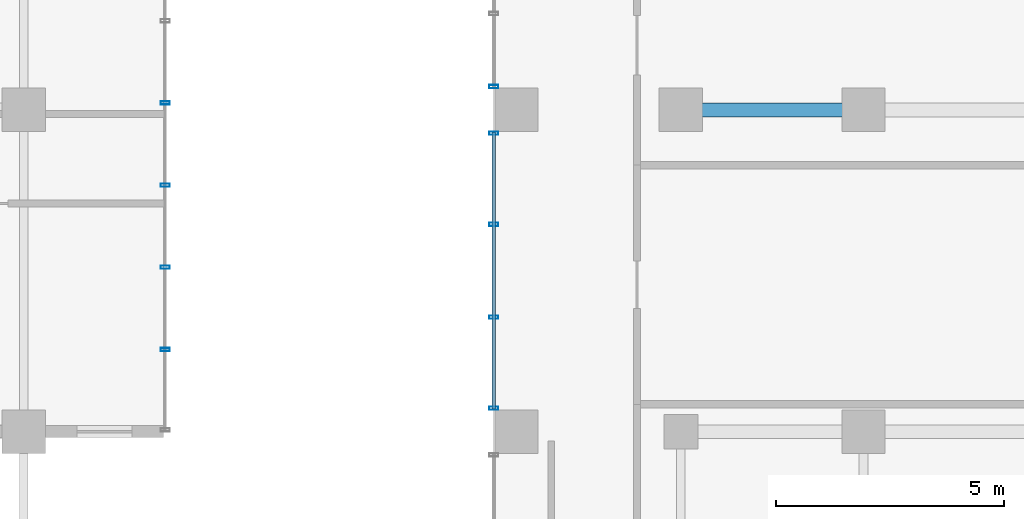
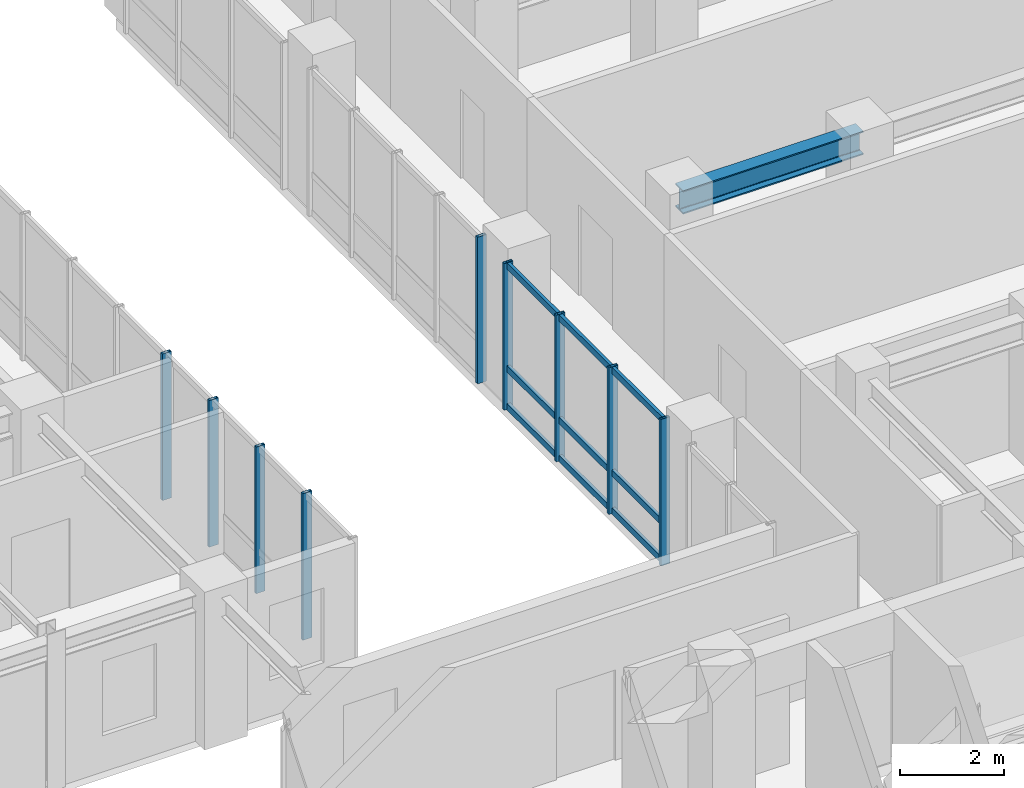
# One storey, part 9 of 24: 12 members, 1 beam, 3 elements without a shape of their own.
"""IFC4 building model written with IfcOpenShell, lengths in metres."""

import ifcopenshell
import ifcopenshell.guid

model = None  # the IFC model being written
_history = None  # IfcOwnerHistory: only IFC2X3 demands one
_inside = {}  # id of a spatial element -> (the spatial element, [elements in it])
_under = {}  # id of a project, library or spatial element -> (it, [spatial elements below it])
_declared = {}  # id of a project -> (the project, [libraries it declares])
_typed = {}  # id of a type object -> (the type object, [elements of that type])
_made_of = {}  # id of a material, layer set ... -> (it, [elements and type objects made of it])


def new_model(schema):
    """Start an empty IFC model of exactly this schema.

    Asked for "IFC4X3", IfcOpenShell would pick the latest addendum, in which some entities
    have other attributes; the version numbers below select the first issue.
    IFC2X3 requires an IfcOwnerHistory on every rooted entity: one is made here for all.
    """
    global model, _history
    if schema == "IFC4X3":
        model = ifcopenshell.file(schema_version=(4, 3, 0, 0))
    else:
        model = ifcopenshell.file(schema=schema)
    _inside.clear()
    _under.clear()
    _declared.clear()
    _typed.clear()
    _made_of.clear()
    _history = None
    if model.schema == "IFC2X3":
        org = make("IfcOrganization", Name="unknown")
        user = make(
            "IfcPersonAndOrganization",
            ThePerson=make("IfcPerson", FamilyName="unknown"),
            TheOrganization=org,
        )
        app = make(
            "IfcApplication",
            ApplicationDeveloper=org,
            Version="unknown",
            ApplicationFullName="unknown",
            ApplicationIdentifier="unknown",
        )
        _history = make(
            "IfcOwnerHistory",
            OwningUser=user,
            OwningApplication=app,
            ChangeAction="ADDED",
            CreationDate=0,
        )
    return model


def make(cls, **values):
    """One entity of the class cls with the attributes given. An attribute that is None is left unset."""
    return model.create_entity(
        cls, **{name: value for name, value in values.items() if value is not None}
    )


def rooted(cls, **values):
    """An entity with a GlobalId (a new one), such as an element, a storey or a relation."""
    return make(cls, GlobalId=ifcopenshell.guid.new(), OwnerHistory=_history, **values)


def si_unit(unit_type, name, prefix=None):
    """IfcSIUnit, for example si_unit("LENGTHUNIT", "METRE", prefix="MILLI")."""
    return make("IfcSIUnit", UnitType=unit_type, Prefix=prefix, Name=name)


def assignment(units):
    """IfcUnitAssignment: the units of a project."""
    return None if units is None else make("IfcUnitAssignment", Units=units)


def point(xyz):
    """IfcCartesianPoint."""
    return None if xyz is None else make("IfcCartesianPoint", Coordinates=xyz)


def direction(xyz):
    """IfcDirection."""
    return None if xyz is None else make("IfcDirection", DirectionRatios=xyz)


def frame(location, z_axis=None, x_axis=None):
    """IfcAxis2Placement3D, a coordinate frame: its origin and axes. An axis left out is left unset."""
    return make(
        "IfcAxis2Placement3D",
        Location=point(location),
        Axis=direction(z_axis),
        RefDirection=direction(x_axis),
    )


def frame_2d(location, x_axis=None):
    """IfcAxis2Placement2D, a coordinate frame in the plane: its origin and x axis."""
    return make(
        "IfcAxis2Placement2D", Location=point(location), RefDirection=direction(x_axis)
    )


def origin():
    """The frame at (0, 0, 0) with its axes left unset."""
    return frame((0.0, 0.0, 0.0))


def origin_2d():
    """The frame at (0, 0) in the plane with its x axis left unset."""
    return frame_2d((0.0, 0.0))


def place(relative_to, where):
    """IfcLocalPlacement: puts the frame where relative to a parent placement (None: the world)."""
    return make(
        "IfcLocalPlacement", PlacementRelTo=relative_to, RelativePlacement=where
    )


def context(
    kind, dimensions, precision=None, world=None, true_north=None, identifier=None
):
    """IfcGeometricRepresentationContext, for example the 3D "Model" context."""
    return make(
        "IfcGeometricRepresentationContext",
        ContextIdentifier=identifier,
        ContextType=kind,
        CoordinateSpaceDimension=dimensions,
        Precision=precision,
        WorldCoordinateSystem=world,
        TrueNorth=true_north,
    )


def subcontext(parent, identifier, kind, view, scale=None):
    """IfcGeometricRepresentationSubContext, for example "Body" below "Model"."""
    return make(
        "IfcGeometricRepresentationSubContext",
        ContextIdentifier=identifier,
        ContextType=kind,
        ParentContext=parent,
        TargetScale=scale,
        TargetView=view,
    )


def project(units=None, contexts=None):
    """IfcProject with its units and contexts."""
    return rooted(
        "IfcProject",
        Name="project",
        RepresentationContexts=contexts,
        UnitsInContext=assignment(units),
    )


def spatial(cls, under=None, at=None, **own):
    """A site, building, storey or space (cls), placed at a placement, below another one or the project."""
    s = rooted(cls, ObjectPlacement=at, **own)
    if under is not None:
        _under.setdefault(under.id(), (under, []))[1].append(s)
    return s


def profile(cls, at=None, kind="AREA", **sizes):
    """A parametric profile (cls). Its sizes go by their IFC names, for example OverallWidth=200.0."""
    return make(cls, ProfileType=kind, Position=at, **sizes)


def hollow_rectangle(**sizes):
    """IfcRectangleHollowProfileDef."""
    return profile("IfcRectangleHollowProfileDef", **sizes)


def i_section(**sizes):
    """IfcIShapeProfileDef."""
    return profile("IfcIShapeProfileDef", **sizes)


def extrude(swept, where, along, depth):
    """IfcExtrudedAreaSolid: the profile swept, set in the frame where, extruded along a direction by depth."""
    return make(
        "IfcExtrudedAreaSolid",
        SweptArea=swept,
        Position=where,
        ExtrudedDirection=direction(along),
        Depth=depth,
    )


def shape(context_of_items, identifier, shape_type, items):
    """IfcShapeRepresentation: the items that make up one representation, for example the "Body"."""
    return make(
        "IfcShapeRepresentation",
        ContextOfItems=context_of_items,
        RepresentationIdentifier=identifier,
        RepresentationType=shape_type,
        Items=items,
    )


def source(mapping_origin, context_of_items, identifier, shape_type, items):
    """IfcRepresentationMap: a shape defined once, which mapped items show again and again."""
    return make(
        "IfcRepresentationMap",
        MappingOrigin=mapping_origin,
        MappedRepresentation=shape(context_of_items, identifier, shape_type, items),
    )


def transform(
    local_origin,
    x_axis=None,
    y_axis=None,
    z_axis=None,
    scale=None,
    scale2=None,
    scale3=None,
    uniform=True,
):
    """IfcCartesianTransformationOperator3D, or its non-uniform kind. x_axis, y_axis, z_axis: its Axis1, 2, 3."""
    if uniform:
        return make(
            "IfcCartesianTransformationOperator3D",
            Axis1=direction(x_axis),
            Axis2=direction(y_axis),
            LocalOrigin=point(local_origin),
            Scale=scale,
            Axis3=direction(z_axis),
        )
    return make(
        "IfcCartesianTransformationOperator3DnonUniform",
        Axis1=direction(x_axis),
        Axis2=direction(y_axis),
        LocalOrigin=point(local_origin),
        Scale=scale,
        Axis3=direction(z_axis),
        Scale2=scale2,
        Scale3=scale3,
    )


def mapped(mapping_source, mapping_target):
    """IfcMappedItem: shows the shape of a source again, moved by a transform."""
    return make(
        "IfcMappedItem", MappingSource=mapping_source, MappingTarget=mapping_target
    )


def material(Name=None, Category=None):
    """IfcMaterial."""
    return make("IfcMaterial", Name=Name, Category=Category)


def layer(
    of_material, thickness, ventilated=None, Name=None, Category=None, Priority=None
):
    """IfcMaterialLayer: one layer of a wall or slab, of a material (None: an air gap)."""
    return make(
        "IfcMaterialLayer",
        Material=of_material,
        LayerThickness=thickness,
        IsVentilated=ventilated,
        Name=Name,
        Category=Category,
        Priority=Priority,
    )


def layer_set(layers, Name=None):
    """IfcMaterialLayerSet."""
    return make("IfcMaterialLayerSet", MaterialLayers=layers, LayerSetName=Name)


def material_profile(
    of_material, cross_section, Name=None, Category=None, Priority=None
):
    """IfcMaterialProfile: a cross section and its material."""
    return make(
        "IfcMaterialProfile",
        Name=Name,
        Material=of_material,
        Profile=cross_section,
        Priority=Priority,
        Category=Category,
    )


def profile_set(profiles, Name=None, composite=None):
    """IfcMaterialProfileSet."""
    return make(
        "IfcMaterialProfileSet",
        Name=Name,
        MaterialProfiles=profiles,
        CompositeProfile=composite,
    )


def made_of(thing, what):
    """Note that an element or type object is made of a material, layer set ...; save() writes the relation."""
    if what is not None:
        _made_of.setdefault(what.id(), (what, []))[1].append(thing)
    return thing


def type_object(cls, material=None, **own):
    """A type object (cls), such as IfcWallType, which elements share."""
    return made_of(rooted(cls, **own), material)


def element(
    cls,
    number,
    at=None,
    inside=None,
    cuts=None,
    type_object=None,
    material=None,
    context=None,
    identifier="Body",
    shape_type=None,
    held_by="IfcProductDefinitionShape",
    body=None,
    shapes=None,
    **own,
):
    """One element of the class cls, such as IfcWall. Its Tag is "e" and its number.

    at: its placement. inside: the storey or other place that contains it. cuts: it is an
    opening in that element (IfcRelVoidsElement). A single representation is given by context,
    identifier, shape_type and body (its items); several are given by shapes. held_by: the class
    of the entity that holds the representations. save() writes the other relations.
    """
    e = rooted(cls, Tag="e%d" % number, ObjectPlacement=at, **own)
    if body is not None:
        shapes = [shape(context, identifier, shape_type, body)]
    if shapes is not None:
        e.Representation = make(held_by, Representations=shapes)
    if inside is not None:
        _inside.setdefault(inside.id(), (inside, []))[1].append(e)
    if cuts is not None:
        rooted(
            "IfcRelVoidsElement", RelatingBuildingElement=cuts, RelatedOpeningElement=e
        )
    if type_object is not None:
        _typed.setdefault(type_object.id(), (type_object, []))[1].append(e)
    return made_of(e, material)


def aggregate(whole, parts):
    """IfcRelAggregates: a whole, such as a stair, and the parts it consists of."""
    return rooted("IfcRelAggregates", RelatingObject=whole, RelatedObjects=parts)


def save(model, path):
    """Write the relations noted so far, then the file.

    IfcRelAggregates (storeys below a building ...), IfcRelContainedInSpatialStructure (elements
    in a storey), IfcRelDefinesByType, IfcRelAssociatesMaterial and IfcRelDeclares: one each for
    every whole, place, type object, material and project.
    """
    for whole, parts in _under.values():
        aggregate(whole, parts)
    for where, things in _inside.values():
        rooted(
            "IfcRelContainedInSpatialStructure",
            RelatedElements=things,
            RelatingStructure=where,
        )
    for kind, things in _typed.values():
        rooted("IfcRelDefinesByType", RelatedObjects=things, RelatingType=kind)
    for what, things in _made_of.values():
        rooted("IfcRelAssociatesMaterial", RelatedObjects=things, RelatingMaterial=what)
    for by, libraries in _declared.values():
        rooted("IfcRelDeclares", RelatingContext=by, RelatedDefinitions=libraries)
    model.write(path)


model = new_model("IFC4")

# Units and contexts
model_context = context("Model", 3, precision=1e-05, world=origin(), true_north=direction((0.0, 1.0)))
body_context = subcontext(model_context, "Body", "Model", "MODEL_VIEW")
ifc_project = project(units=[si_unit("LENGTHUNIT", "METRE"), si_unit("AREAUNIT", "SQUARE_METRE"), si_unit("VOLUMEUNIT", "CUBIC_METRE"), si_unit("PLANEANGLEUNIT", "RADIAN"), si_unit("MASSUNIT", "GRAM", prefix="KILO")], contexts=[model_context])

# Site, building, storey
site_placement = place(None, origin())
site = spatial("IfcSite", under=ifc_project, at=site_placement, CompositionType="ELEMENT")
building_placement = place(site_placement, origin())
building = spatial("IfcBuilding", under=site, at=building_placement, Name="Kaliganga Portal Commons", CompositionType="ELEMENT")
storey_placement = place(building_placement, frame((0.0, 0.0, 235.10009765625)))
storey = spatial("IfcBuildingStorey", under=building, at=storey_placement, Name="L60", CompositionType="ELEMENT", Elevation=235.10009765625)

# Beam
ifc_material_1 = material(Name="Structural steel S355J2", Category="steel")
ifc_material_profile_1 = material_profile(ifc_material_1, i_section(OverallWidth=0.300048828125, OverallDepth=0.550048828125, WebThickness=0.014892578125, FlangeThickness=0.029052734375, FilletRadius=0.027099609375, at=origin_2d()), Name="HE 550 B")
ifc_profile_set_1 = profile_set([ifc_material_profile_1], Name="Structural steel S355J2 wide-flange")
beam_type = type_object("IfcBeamType", Name="BM-GIRD-550", PredefinedType="USERDEFINED", material=ifc_profile_set_1)
shared_shape_1 = source(origin(), body_context, "Body", "SweptSolid", [
    extrude(i_section(OverallWidth=0.300048828125, OverallDepth=0.550048828125, WebThickness=0.014892578125, FlangeThickness=0.029052734375, FilletRadius=0.027099609375, at=origin_2d()), origin(), (0.0, 0.0, 1.0), 4.0),
])
beam_placement = place(storey_placement, frame((50.39990234375, 28.64990234375, 3.164794921875), z_axis=(1.0, 0.0, 0.0), x_axis=(0.0, 1.0, 0.0)))
element("IfcBeam", 1, at=beam_placement, inside=storey, type_object=beam_type, Name="BM G L60 BKE286 1", ObjectType="GIRDER", PredefinedType="USERDEFINED", context=body_context, shape_type="MappedRepresentation", body=[
    mapped(shared_shape_1, transform((0.0, 0.0, 0.0), x_axis=(1.0, 0.0, 0.0), y_axis=(0.0, 1.0, 0.0), z_axis=(0.0, 0.0, 1.0), scale=1.0)),
])

# Curtain wall, members
ifc_material_2 = material(Name="Anodized Aluminium and Laminated Low-E Glass", Category="aluminium")
ifc_layer = layer(ifc_material_2, 0.239990234375)
ifc_layer_set = layer_set([ifc_layer], Name="Anodized Aluminium and Laminated Low-E Glass")
curtain_wall_type = type_object("IfcCurtainWallType", Name="CW-SYS-04", PredefinedType="NOTDEFINED", material=ifc_layer_set)
curtain_wall_1_placement = place(storey_placement, origin())
curtain_wall_1 = element("IfcCurtainWall", 2, at=curtain_wall_1_placement, inside=storey, type_object=curtain_wall_type, Name="CW 04 L60 P1E01S1", PredefinedType="NOTDEFINED")
ifc_material_3 = material(Name="Dark Bronze Anodized Aluminium", Category="aluminium")
ifc_material_profile_2 = material_profile(ifc_material_3, hollow_rectangle(XDim=0.070068359375, YDim=0.199951171875, WallThickness=0.00390625, at=origin_2d()), Name="ALU MULL 70x200x4")
ifc_profile_set_2 = profile_set([ifc_material_profile_2], Name="Dark Bronze Anodized Aluminium")
member_type_1 = type_object("IfcMemberType", Name="CW-MUL-220", PredefinedType="MULLION", material=ifc_profile_set_2)
shared_shape_2 = source(origin(), body_context, "Body", "SweptSolid", [
    extrude(hollow_rectangle(XDim=0.070068359375, YDim=0.199951171875, WallThickness=0.00390625, at=origin_2d()), origin(), (0.0, 0.0, 1.0), 3.43994140625),
])
member_1_placement = place(storey_placement, frame((39.10009765625, 23.39990234375, 0.0), z_axis=(0.0, 0.0, 1.0), x_axis=(0.0, 1.0, 0.0)))
member_1 = element("IfcMember", 3, at=member_1_placement, type_object=member_type_1, Name="CW:04:L60:P1E01S1 Mullion 01", PredefinedType="MULLION", context=body_context, shape_type="MappedRepresentation", body=[
    mapped(shared_shape_2, transform((0.0, 0.0, 0.0), x_axis=(1.0, 0.0, 0.0), y_axis=(0.0, 1.0, 0.0), z_axis=(0.0, 0.0, 1.0), scale=1.0)),
])
member_2_placement = place(storey_placement, frame((39.10009765625, 25.199951171875, 0.0), z_axis=(0.0, 0.0, 1.0), x_axis=(0.0, 1.0, 0.0)))
member_2 = element("IfcMember", 4, at=member_2_placement, type_object=member_type_1, Name="CW:04:L60:P1E01S1 Mullion 02", PredefinedType="MULLION", context=body_context, shape_type="MappedRepresentation", body=[
    mapped(shared_shape_2, transform((0.0, 0.0, 0.0), x_axis=(1.0, 0.0, 0.0), y_axis=(0.0, 1.0, 0.0), z_axis=(0.0, 0.0, 1.0), scale=1.0)),
])
member_3_placement = place(storey_placement, frame((39.10009765625, 27.0, 0.0), z_axis=(0.0, 0.0, 1.0), x_axis=(0.0, 1.0, 0.0)))
member_3 = element("IfcMember", 5, at=member_3_placement, type_object=member_type_1, Name="CW:04:L60:P1E01S1 Mullion 03", PredefinedType="MULLION", context=body_context, shape_type="MappedRepresentation", body=[
    mapped(shared_shape_2, transform((0.0, 0.0, 0.0), x_axis=(1.0, 0.0, 0.0), y_axis=(0.0, 1.0, 0.0), z_axis=(0.0, 0.0, 1.0), scale=1.0)),
])
member_4_placement = place(storey_placement, frame((39.10009765625, 28.800048828125, 0.0), z_axis=(0.0, 0.0, 1.0), x_axis=(0.0, 1.0, 0.0)))
member_4 = element("IfcMember", 6, at=member_4_placement, type_object=member_type_1, Name="CW:04:L60:P1E01S1 Mullion 04", PredefinedType="MULLION", context=body_context, shape_type="MappedRepresentation", body=[
    mapped(shared_shape_2, transform((0.0, 0.0, 0.0), x_axis=(1.0, 0.0, 0.0), y_axis=(0.0, 1.0, 0.0), z_axis=(0.0, 0.0, 1.0), scale=1.0)),
])
aggregate(curtain_wall_1, [member_1, member_2, member_3, member_4])

# Curtain wall, member
curtain_wall_2_placement = place(storey_placement, origin())
curtain_wall_2 = element("IfcCurtainWall", 7, at=curtain_wall_2_placement, inside=storey, type_object=curtain_wall_type, Name="CW 04 L60 P2E03S2", PredefinedType="NOTDEFINED")
member_5_placement = place(storey_placement, frame((46.300048828125, 29.160888671875, 0.0), z_axis=(0.0, 0.0, 1.0), x_axis=(0.0, -1.0, 0.0)))
member_5 = element("IfcMember", 8, at=member_5_placement, type_object=member_type_1, Name="CW:04:L60:P2E03S2 Mullion 04", PredefinedType="MULLION", context=body_context, shape_type="MappedRepresentation", body=[
    mapped(shared_shape_2, transform((0.0, 0.0, 0.0), x_axis=(1.0, 0.0, 0.0), y_axis=(0.0, 1.0, 0.0), z_axis=(0.0, 0.0, 1.0), scale=1.0)),
])
aggregate(curtain_wall_2, [member_5])

# Curtain wall, members
curtain_wall_3_placement = place(storey_placement, origin())
curtain_wall_3 = element("IfcCurtainWall", 9, at=curtain_wall_3_placement, inside=storey, type_object=curtain_wall_type, Name="CW 04 L60 P2E03S3", PredefinedType="NOTDEFINED")
member_6_placement = place(storey_placement, frame((46.300048828125, 28.138916015625, 0.0), z_axis=(0.0, 0.0, 1.0), x_axis=(0.0, -1.0, 0.0)))
member_6 = element("IfcMember", 10, at=member_6_placement, type_object=member_type_1, Name="CW:04:L60:P2E03S3 Mullion 00", PredefinedType="MULLION", context=body_context, shape_type="MappedRepresentation", body=[
    mapped(shared_shape_2, transform((0.0, 0.0, 0.0), x_axis=(1.0, 0.0, 0.0), y_axis=(0.0, 1.0, 0.0), z_axis=(0.0, 0.0, 1.0), scale=1.0)),
])
member_7_placement = place(storey_placement, frame((46.300048828125, 26.141357421875, 0.0), z_axis=(0.0, 0.0, 1.0), x_axis=(0.0, -1.0, 0.0)))
member_7 = element("IfcMember", 11, at=member_7_placement, type_object=member_type_1, Name="CW:04:L60:P2E03S3 Mullion 01", PredefinedType="MULLION", context=body_context, shape_type="MappedRepresentation", body=[
    mapped(shared_shape_2, transform((0.0, 0.0, 0.0), x_axis=(1.0, 0.0, 0.0), y_axis=(0.0, 1.0, 0.0), z_axis=(0.0, 0.0, 1.0), scale=1.0)),
])
member_8_placement = place(storey_placement, frame((46.300048828125, 24.108642578125, 0.0), z_axis=(0.0, 0.0, 1.0), x_axis=(0.0, -1.0, 0.0)))
member_8 = element("IfcMember", 12, at=member_8_placement, type_object=member_type_1, Name="CW:04:L60:P2E03S3 Mullion 02", PredefinedType="MULLION", context=body_context, shape_type="MappedRepresentation", body=[
    mapped(shared_shape_2, transform((0.0, 0.0, 0.0), x_axis=(1.0, 0.0, 0.0), y_axis=(0.0, 1.0, 0.0), z_axis=(0.0, 0.0, 1.0), scale=1.0)),
])
member_9_placement = place(storey_placement, frame((46.300048828125, 22.111083984375, 0.0), z_axis=(0.0, 0.0, 1.0), x_axis=(0.0, -1.0, 0.0)))
member_9 = element("IfcMember", 13, at=member_9_placement, type_object=member_type_1, Name="CW:04:L60:P2E03S3 Mullion 03", PredefinedType="MULLION", context=body_context, shape_type="MappedRepresentation", body=[
    mapped(shared_shape_2, transform((0.0, 0.0, 0.0), x_axis=(1.0, 0.0, 0.0), y_axis=(0.0, 1.0, 0.0), z_axis=(0.0, 0.0, 1.0), scale=1.0)),
])
ifc_material_profile_3 = material_profile(ifc_material_3, hollow_rectangle(XDim=0.070068359375, YDim=0.14990234375, WallThickness=0.00341796875, at=origin_2d()), Name="ALU TRAN 70x150x3.5")
ifc_profile_set_3 = profile_set([ifc_material_profile_3], Name="Dark Bronze Anodized Aluminium")
member_type_2 = type_object("IfcMemberType", Name="CW-TRN-150", PredefinedType="USERDEFINED", material=ifc_profile_set_3)
shared_shape_3 = source(origin(), body_context, "Body", "SweptSolid", [
    extrude(hollow_rectangle(XDim=0.070068359375, YDim=0.14990234375, WallThickness=0.00341796875, at=origin_2d()), origin(), (0.0, 0.0, 1.0), 6.05810546875),
])
member_10_placement = place(storey_placement, frame((46.300048828125, 28.154052734375, 0.059814453125), z_axis=(0.0, -1.0, 0.0), x_axis=(1.0, 0.0, 0.0)))
member_10 = element("IfcMember", 14, at=member_10_placement, type_object=member_type_2, Name="CW:04:L60:P2E03S3 Transom 1", ObjectType="TRANSOM", PredefinedType="USERDEFINED", context=body_context, shape_type="MappedRepresentation", body=[
    mapped(shared_shape_3, transform((0.0, 0.0, 0.0), x_axis=(1.0, 0.0, 0.0), y_axis=(0.0, 1.0, 0.0), z_axis=(0.0, 0.0, 1.0), scale=1.0)),
])
member_11_placement = place(storey_placement, frame((46.300048828125, 28.154052734375, 0.949951171875), z_axis=(0.0, -1.0, 0.0), x_axis=(1.0, 0.0, 0.0)))
member_11 = element("IfcMember", 15, at=member_11_placement, type_object=member_type_2, Name="CW:04:L60:P2E03S3 Transom 2", ObjectType="TRANSOM", PredefinedType="USERDEFINED", context=body_context, shape_type="MappedRepresentation", body=[
    mapped(shared_shape_3, transform((0.0, 0.0, 0.0), x_axis=(1.0, 0.0, 0.0), y_axis=(0.0, 1.0, 0.0), z_axis=(0.0, 0.0, 1.0), scale=1.0)),
])
member_12_placement = place(storey_placement, frame((46.300048828125, 28.154052734375, 3.35986328125), z_axis=(0.0, -1.0, 0.0), x_axis=(1.0, 0.0, 0.0)))
member_12 = element("IfcMember", 16, at=member_12_placement, type_object=member_type_2, Name="CW:04:L60:P2E03S3 Transom 3", ObjectType="TRANSOM", PredefinedType="USERDEFINED", context=body_context, shape_type="MappedRepresentation", body=[
    mapped(shared_shape_3, transform((0.0, 0.0, 0.0), x_axis=(1.0, 0.0, 0.0), y_axis=(0.0, 1.0, 0.0), z_axis=(0.0, 0.0, 1.0), scale=1.0)),
])
aggregate(curtain_wall_3, [member_6, member_7, member_8, member_9, member_10, member_11, member_12])

save(model, "model.ifc")
